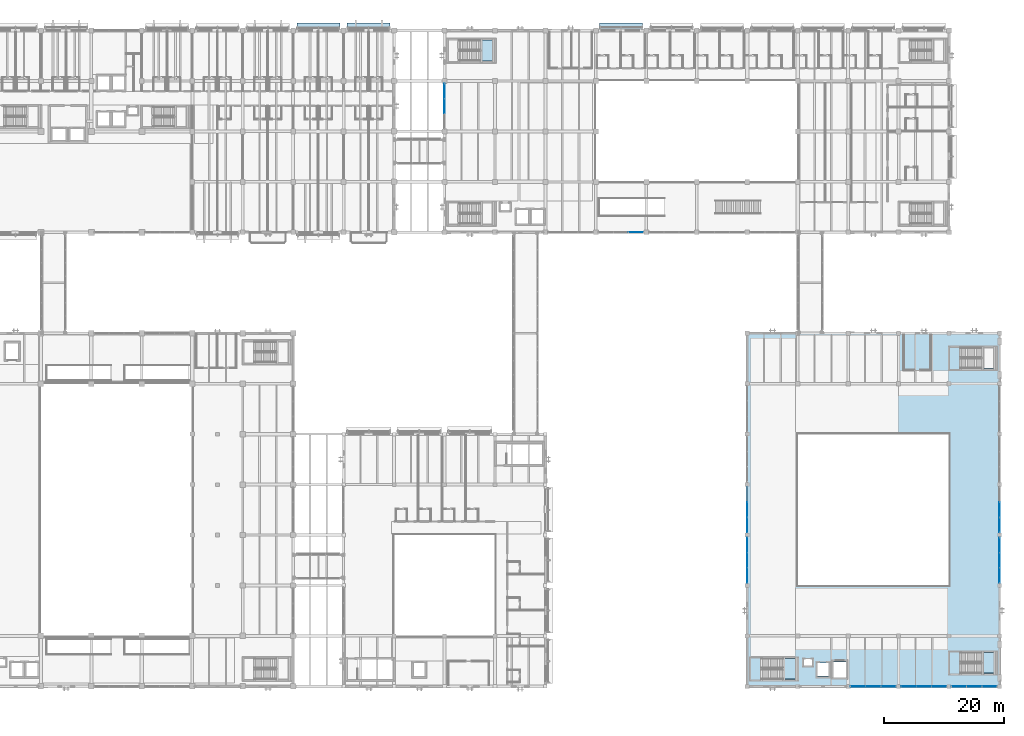
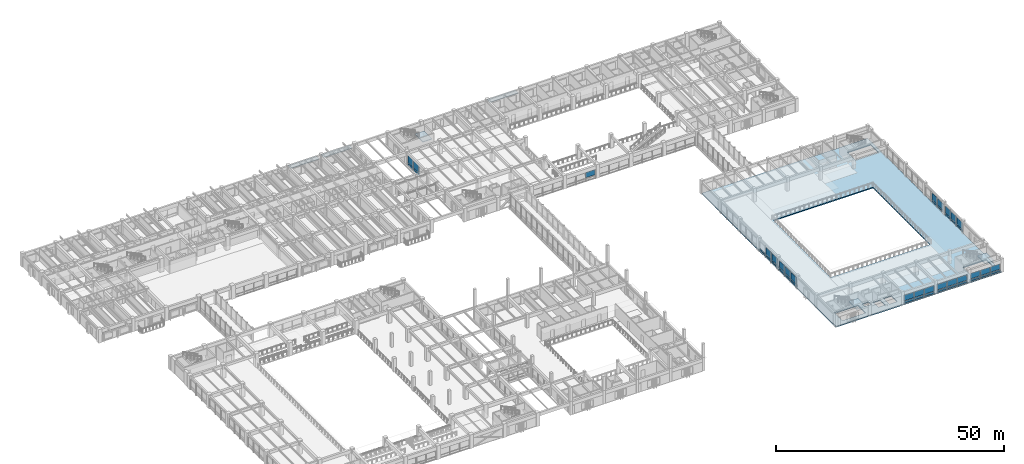
# One storey, part 56 of 118: 47 plates, 4 slabs, 15 elements without a shape of their own.
"""IFC4 building model written with IfcOpenShell, lengths in metres."""

from ifc_helpers import new_model, si_unit, direction, frame, origin, origin_2d, place, context, subcontext, project, spatial, polyline, rectangle, outline, extrude, material, layer, layer_set, type_object, element, aggregate, save


model = new_model("IFC4")

# Units and contexts
model_context = context("Model", 3, precision=1e-05, world=origin(), true_north=direction((0.0, 1.0)))
body_context = subcontext(model_context, "Body", "Model", "MODEL_VIEW")
ifc_project = project(units=[si_unit("LENGTHUNIT", "METRE"), si_unit("AREAUNIT", "SQUARE_METRE"), si_unit("VOLUMEUNIT", "CUBIC_METRE"), si_unit("PLANEANGLEUNIT", "RADIAN"), si_unit("MASSUNIT", "GRAM", prefix="KILO")], contexts=[model_context])

# Site, building, storey
site_placement = place(None, origin())
site = spatial("IfcSite", under=ifc_project, at=site_placement, CompositionType="ELEMENT")
building_placement = place(site_placement, origin())
building = spatial("IfcBuilding", under=site, at=building_placement, Name="Cumbredor Promenade Congress Hotel", CompositionType="ELEMENT")
storey_placement = place(building_placement, frame((0.0, 0.0, 3.919921875)))
storey = spatial("IfcBuildingStorey", under=building, at=storey_placement, Name="L01", CompositionType="ELEMENT", Elevation=3.919921875)

# Stair, slab
ifc_material_1 = material(Name="Concrete C40/50", Category="concrete")
stair_type = type_object("IfcStairType", Name="Protected Dog-Leg Exit Stair ST-T3 1650mm", PredefinedType="HALF_TURN_STAIR", material=ifc_material_1)
stair_1_placement = place(storey_placement, origin())
stair_1 = element("IfcStair", 1, at=stair_1_placement, inside=storey, type_object=stair_type, Name="L01 Protected Exit Stair ST-08", PredefinedType="HALF_TURN_STAIR")
ifc_layer_1 = layer(ifc_material_1, 0.199951171875, Name="Concrete C40/50", Category="concrete")
ifc_layer_set_1 = layer_set([ifc_layer_1], Name="Concrete C40/50")
slab_type_1 = type_object("IfcSlabType", Name="Concrete Stair Landing Slab 200mm", PredefinedType="LANDING", material=ifc_layer_set_1)
slab_1_placement = place(storey_placement, frame((0.0, 0.0, 1.6201171875)))
slab_1 = element("IfcSlab", 2, at=slab_1_placement, type_object=slab_type_1, Name="ST-08 landing 1", PredefinedType="LANDING", context=body_context, shape_type="SweptSolid", body=[
    extrude(outline(polyline([(148.75, 9.60009765625), (151.050048828125, 9.60009765625), (151.050048828125, 13.050048828125), (148.75, 13.050048828125), (148.75, 9.60009765625)])), origin(), (0.0, 0.0, 1.0), 0.199951171875),
])
aggregate(stair_1, [slab_1])

stair_2_placement = place(storey_placement, origin())
stair_2 = element("IfcStair", 3, at=stair_2_placement, inside=storey, type_object=stair_type, Name="L01 Protected Exit Stair ST-09", PredefinedType="HALF_TURN_STAIR")
slab_2_placement = place(storey_placement, frame((0.0, 0.0, 1.6201171875)))
slab_2 = element("IfcSlab", 4, at=slab_2_placement, type_object=slab_type_1, Name="ST-09 landing 1", PredefinedType="LANDING", context=body_context, shape_type="SweptSolid", body=[
    extrude(outline(polyline([(181.85009765625, 10.60009765625), (184.14990234375, 10.60009765625), (184.14990234375, 14.050048828125), (181.85009765625, 14.050048828125), (181.85009765625, 10.60009765625)])), origin(), (0.0, 0.0, 1.0), 0.199951171875),
])
aggregate(stair_2, [slab_2])

stair_3_placement = place(storey_placement, origin())
stair_3 = element("IfcStair", 5, at=stair_3_placement, inside=storey, type_object=stair_type, Name="L01 Protected Exit Stair ST-15", PredefinedType="HALF_TURN_STAIR")
slab_3_placement = place(storey_placement, frame((0.0, 0.0, 1.6201171875)))
slab_3 = element("IfcSlab", 6, at=slab_3_placement, type_object=slab_type_1, Name="ST-15 landing 1", PredefinedType="LANDING", context=body_context, shape_type="SweptSolid", body=[
    extrude(outline(polyline([(98.35009765625, 112.550048828125), (100.64990234375, 112.550048828125), (100.64990234375, 116.0), (98.35009765625, 116.0), (98.35009765625, 112.550048828125)])), origin(), (0.0, 0.0, 1.0), 0.199951171875),
])
aggregate(stair_3, [slab_3])

# Curtain wall, plates
ifc_material_2 = material(Name="Thermally broken anodized aluminium and low-E glass", Category="aluminium")
curtain_wall_type_1 = type_object("IfcCurtainWallType", Name="Unitised Bronze Curtain Wall CW-01", PredefinedType="NOTDEFINED", material=ifc_material_2)
curtain_wall_1_placement = place(storey_placement, origin())
curtain_wall_1 = element("IfcCurtainWall", 7, at=curtain_wall_1_placement, inside=storey, type_object=curtain_wall_type_1, Name="L01 Grand Ballroom Pavilion South Curtain Wall 3", PredefinedType="NOTDEFINED")
ifc_material_3 = material(Name="Laminated low-E solar-control glass", Category="glass")
ifc_layer_2 = layer(ifc_material_3, 0.028076171875, Name="Laminated low-E solar-control glass", Category="glass")
ifc_layer_set_2 = layer_set([ifc_layer_2], Name="Laminated low-E solar-control glass")
plate_type_1 = type_object("IfcPlateType", Name="Glazed Vision Panel PNL-01", PredefinedType="CURTAIN_PANEL", material=ifc_layer_set_2)
plate_1_placement = place(storey_placement, frame((161.27001953125, 8.39990234375, 0.78515625), z_axis=(0.0, 0.0, 1.0), x_axis=(1.0, 0.0, 0.0)))
plate_1 = element("IfcPlate", 8, at=plate_1_placement, type_object=plate_type_1, Name="L01 Grand Ballroom Pavilion South Curtain Wall 3 Glazing Panel 1.2", PredefinedType="CURTAIN_PANEL", context=body_context, shape_type="SweptSolid", body=[
    extrude(rectangle(XDim=2.465087890625, YDim=0.028076171875, at=origin_2d()), origin(), (0.0, 0.0, 1.0), 1.530029296875),
])
plate_2_placement = place(storey_placement, frame((163.800048828125, 8.39990234375, 0.78515625), z_axis=(0.0, 0.0, 1.0), x_axis=(1.0, 0.0, 0.0)))
plate_2 = element("IfcPlate", 9, at=plate_2_placement, type_object=plate_type_1, Name="L01 Grand Ballroom Pavilion South Curtain Wall 3 Glazing Panel 2.2", PredefinedType="CURTAIN_PANEL", context=body_context, shape_type="SweptSolid", body=[
    extrude(rectangle(XDim=2.465087890625, YDim=0.028076171875, at=origin_2d()), origin(), (0.0, 0.0, 1.0), 1.530029296875),
])
plate_3_placement = place(storey_placement, frame((166.330078125, 8.39990234375, 0.78515625), z_axis=(0.0, 0.0, 1.0), x_axis=(1.0, 0.0, 0.0)))
plate_3 = element("IfcPlate", 10, at=plate_3_placement, type_object=plate_type_1, Name="L01 Grand Ballroom Pavilion South Curtain Wall 3 Glazing Panel 3.2", PredefinedType="CURTAIN_PANEL", context=body_context, shape_type="SweptSolid", body=[
    extrude(rectangle(XDim=2.465087890625, YDim=0.028076171875, at=origin_2d()), origin(), (0.0, 0.0, 1.0), 1.530029296875),
])

curtain_wall_2_placement = place(storey_placement, origin())
curtain_wall_2 = element("IfcCurtainWall", 11, at=curtain_wall_2_placement, inside=storey, type_object=curtain_wall_type_1, Name="L01 Grand Ballroom Pavilion West Curtain Wall 3", PredefinedType="NOTDEFINED")
plate_4_placement = place(storey_placement, frame((142.800048828125, 26.8701171875, 0.78515625), z_axis=(0.0, 0.0, 1.0), x_axis=(0.0, 1.0, 0.0)))
plate_4 = element("IfcPlate", 12, at=plate_4_placement, type_object=plate_type_1, Name="L01 Grand Ballroom Pavilion West Curtain Wall 3 Glazing Panel 1.2", PredefinedType="CURTAIN_PANEL", context=body_context, shape_type="SweptSolid", body=[
    extrude(rectangle(XDim=2.465087890625, YDim=0.028076171875, at=origin_2d()), origin(), (0.0, 0.0, 1.0), 1.820068359375),
])
plate_5_placement = place(storey_placement, frame((142.800048828125, 29.39990234375, 0.78515625), z_axis=(0.0, 0.0, 1.0), x_axis=(0.0, 1.0, 0.0)))
plate_5 = element("IfcPlate", 13, at=plate_5_placement, type_object=plate_type_1, Name="L01 Grand Ballroom Pavilion West Curtain Wall 3 Glazing Panel 2.2", PredefinedType="CURTAIN_PANEL", context=body_context, shape_type="SweptSolid", body=[
    extrude(rectangle(XDim=2.465087890625, YDim=0.028076171875, at=origin_2d()), origin(), (0.0, 0.0, 1.0), 1.820068359375),
])
plate_6_placement = place(storey_placement, frame((142.800048828125, 31.929931640625, 0.78515625), z_axis=(0.0, 0.0, 1.0), x_axis=(0.0, 1.0, 0.0)))
plate_6 = element("IfcPlate", 14, at=plate_6_placement, type_object=plate_type_1, Name="L01 Grand Ballroom Pavilion West Curtain Wall 3 Glazing Panel 3.2", PredefinedType="CURTAIN_PANEL", context=body_context, shape_type="SweptSolid", body=[
    extrude(rectangle(XDim=2.465087890625, YDim=0.028076171875, at=origin_2d()), origin(), (0.0, 0.0, 1.0), 1.820068359375),
])

curtain_wall_type_2 = type_object("IfcCurtainWallType", Name="Unitised Forum Curtain Wall CW-02", PredefinedType="NOTDEFINED", material=ifc_material_2)
curtain_wall_3_placement = place(storey_placement, origin())
curtain_wall_3 = element("IfcCurtainWall", 15, at=curtain_wall_3_placement, inside=storey, type_object=curtain_wall_type_2, Name="L01 Pre-Function and Breakout Meeting Forum West Curtain Wall 3", PredefinedType="NOTDEFINED")
plate_7_placement = place(storey_placement, frame((92.39990234375, 105.0, 0.78515625), z_axis=(0.0, 0.0, 1.0), x_axis=(0.0, 1.0, 0.0)))
plate_7 = element("IfcPlate", 16, at=plate_7_placement, type_object=plate_type_1, Name="L01 Pre-Function and Breakout Meeting Forum West Curtain Wall 3 Glazing Panel 2.2", PredefinedType="CURTAIN_PANEL", context=body_context, shape_type="SweptSolid", body=[
    extrude(rectangle(XDim=2.431640625, YDim=0.028076171875, at=origin_2d()), origin(), (0.0, 0.0, 1.0), 1.780029296875),
])
plate_8_placement = place(storey_placement, frame((92.39990234375, 107.49658203125, 0.78515625), z_axis=(0.0, 0.0, 1.0), x_axis=(0.0, 1.0, 0.0)))
plate_8 = element("IfcPlate", 17, at=plate_8_placement, type_object=plate_type_1, Name="L01 Pre-Function and Breakout Meeting Forum West Curtain Wall 3 Glazing Panel 3.2", PredefinedType="CURTAIN_PANEL", context=body_context, shape_type="SweptSolid", body=[
    extrude(rectangle(XDim=2.431640625, YDim=0.028076171875, at=origin_2d()), origin(), (0.0, 0.0, 1.0), 1.780029296875),
])

curtain_wall_4_placement = place(storey_placement, origin())
curtain_wall_4 = element("IfcCurtainWall", 18, at=curtain_wall_4_placement, inside=storey, type_object=curtain_wall_type_1, Name="L01 Grand Ballroom Pavilion South Curtain Wall 4", PredefinedType="NOTDEFINED")
ifc_layer_3 = layer(ifc_material_3, 0.031982421875, Name="Laminated low-E solar-control glass", Category="glass")
ifc_layer_set_3 = layer_set([ifc_layer_3], Name="Laminated low-E solar-control glass")
plate_type_2 = type_object("IfcPlateType", Name="Glazed Vision Panel PNL-02", PredefinedType="CURTAIN_PANEL", material=ifc_layer_set_3)
plate_9_placement = place(storey_placement, frame((169.669921875, 8.39990234375, 0.795166015625), z_axis=(0.0, 0.0, 1.0), x_axis=(1.0, 0.0, 0.0)))
plate_9 = element("IfcPlate", 19, at=plate_9_placement, type_object=plate_type_2, Name="L01 Grand Ballroom Pavilion South Curtain Wall 4 Glazing Panel 1.2", PredefinedType="CURTAIN_PANEL", context=body_context, shape_type="SweptSolid", body=[
    extrude(rectangle(XDim=2.455078125, YDim=0.031982421875, at=origin_2d()), origin(), (0.0, 0.0, 1.0), 1.5),
])
plate_10_placement = place(storey_placement, frame((172.199951171875, 8.39990234375, 0.795166015625), z_axis=(0.0, 0.0, 1.0), x_axis=(1.0, 0.0, 0.0)))
plate_10 = element("IfcPlate", 20, at=plate_10_placement, type_object=plate_type_2, Name="L01 Grand Ballroom Pavilion South Curtain Wall 4 Glazing Panel 2.2", PredefinedType="CURTAIN_PANEL", context=body_context, shape_type="SweptSolid", body=[
    extrude(rectangle(XDim=2.455078125, YDim=0.031982421875, at=origin_2d()), origin(), (0.0, 0.0, 1.0), 1.5),
])
plate_11_placement = place(storey_placement, frame((174.72998046875, 8.39990234375, 0.795166015625), z_axis=(0.0, 0.0, 1.0), x_axis=(1.0, 0.0, 0.0)))
plate_11 = element("IfcPlate", 21, at=plate_11_placement, type_object=plate_type_2, Name="L01 Grand Ballroom Pavilion South Curtain Wall 4 Glazing Panel 3.2", PredefinedType="CURTAIN_PANEL", context=body_context, shape_type="SweptSolid", body=[
    extrude(rectangle(XDim=2.455078125, YDim=0.031982421875, at=origin_2d()), origin(), (0.0, 0.0, 1.0), 1.5),
])

curtain_wall_5_placement = place(storey_placement, origin())
curtain_wall_5 = element("IfcCurtainWall", 22, at=curtain_wall_5_placement, inside=storey, type_object=curtain_wall_type_1, Name="L01 Grand Ballroom Pavilion West Curtain Wall 4", PredefinedType="NOTDEFINED")
plate_12_placement = place(storey_placement, frame((142.800048828125, 35.27001953125, 0.795166015625), z_axis=(0.0, 0.0, 1.0), x_axis=(0.0, 1.0, 0.0)))
plate_12 = element("IfcPlate", 23, at=plate_12_placement, type_object=plate_type_2, Name="L01 Grand Ballroom Pavilion West Curtain Wall 4 Glazing Panel 1.2", PredefinedType="CURTAIN_PANEL", context=body_context, shape_type="SweptSolid", body=[
    extrude(rectangle(XDim=2.455078125, YDim=0.031982421875, at=origin_2d()), origin(), (0.0, 0.0, 1.0), 1.7900390625),
])
plate_13_placement = place(storey_placement, frame((142.800048828125, 37.800048828125, 0.795166015625), z_axis=(0.0, 0.0, 1.0), x_axis=(0.0, 1.0, 0.0)))
plate_13 = element("IfcPlate", 24, at=plate_13_placement, type_object=plate_type_2, Name="L01 Grand Ballroom Pavilion West Curtain Wall 4 Glazing Panel 2.2", PredefinedType="CURTAIN_PANEL", context=body_context, shape_type="SweptSolid", body=[
    extrude(rectangle(XDim=2.455078125, YDim=0.031982421875, at=origin_2d()), origin(), (0.0, 0.0, 1.0), 1.7900390625),
])

curtain_wall_6_placement = place(storey_placement, origin())
curtain_wall_6 = element("IfcCurtainWall", 25, at=curtain_wall_6_placement, inside=storey, type_object=curtain_wall_type_1, Name="L01 Grand Ballroom Pavilion East Curtain Wall 3", PredefinedType="NOTDEFINED")
plate_14_placement = place(storey_placement, frame((184.800048828125, 26.8701171875, 0.795166015625), z_axis=(0.0, 0.0, 1.0), x_axis=(0.0, 1.0, 0.0)))
plate_14 = element("IfcPlate", 26, at=plate_14_placement, type_object=plate_type_2, Name="L01 Grand Ballroom Pavilion East Curtain Wall 3 Glazing Panel 1.2", PredefinedType="CURTAIN_PANEL", context=body_context, shape_type="SweptSolid", body=[
    extrude(rectangle(XDim=2.455078125, YDim=0.031982421875, at=origin_2d()), origin(), (0.0, 0.0, 1.0), 1.7900390625),
])
plate_15_placement = place(storey_placement, frame((184.800048828125, 29.39990234375, 0.795166015625), z_axis=(0.0, 0.0, 1.0), x_axis=(0.0, 1.0, 0.0)))
plate_15 = element("IfcPlate", 27, at=plate_15_placement, type_object=plate_type_2, Name="L01 Grand Ballroom Pavilion East Curtain Wall 3 Glazing Panel 2.2", PredefinedType="CURTAIN_PANEL", context=body_context, shape_type="SweptSolid", body=[
    extrude(rectangle(XDim=2.455078125, YDim=0.031982421875, at=origin_2d()), origin(), (0.0, 0.0, 1.0), 1.7900390625),
])
plate_16_placement = place(storey_placement, frame((184.800048828125, 31.929931640625, 0.795166015625), z_axis=(0.0, 0.0, 1.0), x_axis=(0.0, 1.0, 0.0)))
plate_16 = element("IfcPlate", 28, at=plate_16_placement, type_object=plate_type_2, Name="L01 Grand Ballroom Pavilion East Curtain Wall 3 Glazing Panel 3.2", PredefinedType="CURTAIN_PANEL", context=body_context, shape_type="SweptSolid", body=[
    extrude(rectangle(XDim=2.455078125, YDim=0.031982421875, at=origin_2d()), origin(), (0.0, 0.0, 1.0), 1.7900390625),
])

curtain_wall_7_placement = place(storey_placement, origin())
curtain_wall_7 = element("IfcCurtainWall", 29, at=curtain_wall_7_placement, inside=storey, type_object=curtain_wall_type_1, Name="L01 Grand Ballroom Pavilion South Curtain Wall 5", PredefinedType="NOTDEFINED")
ifc_layer_4 = layer(ifc_material_3, 0.028076171875, Name="Laminated low-E solar-control glass", Category="glass")
ifc_layer_set_4 = layer_set([ifc_layer_4], Name="Laminated low-E solar-control glass")
plate_type_3 = type_object("IfcPlateType", Name="Glazed Vision Panel PNL-03", PredefinedType="CURTAIN_PANEL", material=ifc_layer_set_4)
plate_17_placement = place(storey_placement, frame((178.070068359375, 8.39990234375, 0.81005859375), z_axis=(0.0, 0.0, 1.0), x_axis=(1.0, 0.0, 0.0)))
plate_17 = element("IfcPlate", 30, at=plate_17_placement, type_object=plate_type_3, Name="L01 Grand Ballroom Pavilion South Curtain Wall 5 Glazing Panel 1.2", PredefinedType="CURTAIN_PANEL", context=body_context, shape_type="SweptSolid", body=[
    extrude(rectangle(XDim=2.449951171875, YDim=0.028076171875, at=origin_2d()), origin(), (0.0, 0.0, 1.0), 1.4599609375),
])
plate_18_placement = place(storey_placement, frame((180.60009765625, 8.39990234375, 0.81005859375), z_axis=(0.0, 0.0, 1.0), x_axis=(1.0, 0.0, 0.0)))
plate_18 = element("IfcPlate", 31, at=plate_18_placement, type_object=plate_type_3, Name="L01 Grand Ballroom Pavilion South Curtain Wall 5 Glazing Panel 2.2", PredefinedType="CURTAIN_PANEL", context=body_context, shape_type="SweptSolid", body=[
    extrude(rectangle(XDim=2.449951171875, YDim=0.028076171875, at=origin_2d()), origin(), (0.0, 0.0, 1.0), 1.4599609375),
])
plate_19_placement = place(storey_placement, frame((183.1298828125, 8.39990234375, 0.81005859375), z_axis=(0.0, 0.0, 1.0), x_axis=(1.0, 0.0, 0.0)))
plate_19 = element("IfcPlate", 32, at=plate_19_placement, type_object=plate_type_3, Name="L01 Grand Ballroom Pavilion South Curtain Wall 5 Glazing Panel 3.2", PredefinedType="CURTAIN_PANEL", context=body_context, shape_type="SweptSolid", body=[
    extrude(rectangle(XDim=2.449951171875, YDim=0.028076171875, at=origin_2d()), origin(), (0.0, 0.0, 1.0), 1.4599609375),
])

curtain_wall_8_placement = place(storey_placement, origin())
curtain_wall_8 = element("IfcCurtainWall", 33, at=curtain_wall_8_placement, inside=storey, type_object=curtain_wall_type_1, Name="L01 Grand Ballroom Pavilion East Curtain Wall 4", PredefinedType="NOTDEFINED")
plate_20_placement = place(storey_placement, frame((184.800048828125, 35.27001953125, 0.81005859375), z_axis=(0.0, 0.0, 1.0), x_axis=(0.0, 1.0, 0.0)))
plate_20 = element("IfcPlate", 34, at=plate_20_placement, type_object=plate_type_3, Name="L01 Grand Ballroom Pavilion East Curtain Wall 4 Glazing Panel 1.2", PredefinedType="CURTAIN_PANEL", context=body_context, shape_type="SweptSolid", body=[
    extrude(rectangle(XDim=2.449951171875, YDim=0.028076171875, at=origin_2d()), origin(), (0.0, 0.0, 1.0), 1.739990234375),
])
plate_21_placement = place(storey_placement, frame((184.800048828125, 37.800048828125, 0.81005859375), z_axis=(0.0, 0.0, 1.0), x_axis=(0.0, 1.0, 0.0)))
plate_21 = element("IfcPlate", 35, at=plate_21_placement, type_object=plate_type_3, Name="L01 Grand Ballroom Pavilion East Curtain Wall 4 Glazing Panel 2.2", PredefinedType="CURTAIN_PANEL", context=body_context, shape_type="SweptSolid", body=[
    extrude(rectangle(XDim=2.449951171875, YDim=0.028076171875, at=origin_2d()), origin(), (0.0, 0.0, 1.0), 1.739990234375),
])

# Curtain wall, plate
curtain_wall_9_placement = place(storey_placement, origin())
curtain_wall_9 = element("IfcCurtainWall", 36, at=curtain_wall_9_placement, inside=storey, type_object=curtain_wall_type_2, Name="L01 Pre-Function and Breakout Meeting Forum South Curtain Wall 4", PredefinedType="NOTDEFINED")
plate_22_placement = place(storey_placement, frame((124.296630859375, 84.0, 0.81005859375), z_axis=(0.0, 0.0, 1.0), x_axis=(1.0, 0.0, 0.0)))
plate_22 = element("IfcPlate", 37, at=plate_22_placement, type_object=plate_type_3, Name="L01 Pre-Function and Breakout Meeting Forum South Curtain Wall 4 Glazing Panel 3.2", PredefinedType="CURTAIN_PANEL", context=body_context, shape_type="SweptSolid", body=[
    extrude(rectangle(XDim=2.416748046875, YDim=0.028076171875, at=origin_2d()), origin(), (0.0, 0.0, 1.0), 1.4599609375),
])
aggregate(curtain_wall_9, [plate_22])

curtain_wall_type_3 = type_object("IfcCurtainWallType", Name="Solar Brise-Soleil Screen Assembly CW-07", PredefinedType="NOTDEFINED", material=ifc_material_2)
curtain_wall_10_placement = place(storey_placement, origin())
curtain_wall_10 = element("IfcCurtainWall", 38, at=curtain_wall_10_placement, inside=storey, type_object=curtain_wall_type_3, Name="L01 Hospitality Brise-Soleil Screen 008", PredefinedType="NOTDEFINED")
ifc_material_4 = material(Name="Precast concrete C40/50", Category="concrete")
ifc_layer_5 = layer(ifc_material_4, 0.14501953125, Name="Precast concrete C40/50", Category="concrete")
ifc_layer_set_5 = layer_set([ifc_layer_5], Name="Precast concrete C40/50")
plate_type_4 = type_object("IfcPlateType", Name="Horizontal Precast Sun-Hood Eyebrow Plate 145mm", PredefinedType="USERDEFINED", material=ifc_layer_set_5)
plate_23_placement = place(storey_placement, frame((121.800048828125, 118.191162109375, 2.28515625), z_axis=(0.0, 0.0, 1.0), x_axis=(1.0, 0.0, 0.0)))
plate_23 = element("IfcPlate", 39, at=plate_23_placement, type_object=plate_type_4, Name="L01 Horizontal Sun-Hood Eyebrow 008", ObjectType="SUN HOOD", PredefinedType="USERDEFINED", context=body_context, shape_type="SweptSolid", body=[
    extrude(rectangle(XDim=7.197998046875, YDim=1.342529296875, at=origin_2d()), origin(), (0.0, 0.0, 1.0), 0.14501953125),
])
aggregate(curtain_wall_10, [plate_23])

curtain_wall_11_placement = place(storey_placement, origin())
curtain_wall_11 = element("IfcCurtainWall", 40, at=curtain_wall_11_placement, inside=storey, type_object=curtain_wall_type_3, Name="L01 Hospitality Brise-Soleil Screen 028", PredefinedType="NOTDEFINED")
plate_24_placement = place(storey_placement, frame((71.39990234375, 118.166259765625, 2.28515625), z_axis=(0.0, 0.0, 1.0), x_axis=(1.0, 0.0, 0.0)))
plate_24 = element("IfcPlate", 41, at=plate_24_placement, type_object=plate_type_4, Name="L01 Horizontal Sun-Hood Eyebrow 028", ObjectType="SUN HOOD", PredefinedType="USERDEFINED", context=body_context, shape_type="SweptSolid", body=[
    extrude(rectangle(XDim=7.197998046875, YDim=1.29248046875, at=origin_2d()), origin(), (0.0, 0.0, 1.0), 0.14501953125),
])
aggregate(curtain_wall_11, [plate_24])

curtain_wall_12_placement = place(storey_placement, origin())
curtain_wall_12 = element("IfcCurtainWall", 42, at=curtain_wall_12_placement, inside=storey, type_object=curtain_wall_type_3, Name="L01 Hospitality Brise-Soleil Screen 029", PredefinedType="NOTDEFINED")
plate_25_placement = place(storey_placement, frame((79.77490234375, 118.172607421875, 2.28515625), z_axis=(0.0, 0.0, 1.0), x_axis=(1.0, 0.0, 0.0)))
plate_25 = element("IfcPlate", 43, at=plate_25_placement, type_object=plate_type_4, Name="L01 Horizontal Sun-Hood Eyebrow 029", ObjectType="SUN HOOD", PredefinedType="USERDEFINED", context=body_context, shape_type="SweptSolid", body=[
    extrude(rectangle(XDim=7.14794921875, YDim=1.304931640625, at=origin_2d()), origin(), (0.0, 0.0, 1.0), 0.14501953125),
])
aggregate(curtain_wall_12, [plate_25])

# Plate
ifc_material_5 = material(Name="Thermally broken anodized aluminium", Category="aluminium")
ifc_layer_6 = layer(ifc_material_5, 0.0400390625, Name="Thermally broken anodized aluminium", Category="aluminium")
ifc_layer_set_6 = layer_set([ifc_layer_6], Name="Thermally broken anodized aluminium")
plate_type_5 = type_object("IfcPlateType", Name="Insulated Spandrel Panel PNL-05", PredefinedType="CURTAIN_PANEL", material=ifc_layer_set_6)
plate_26_placement = place(storey_placement, frame((161.27001953125, 8.39990234375, 0.125), z_axis=(0.0, 0.0, 1.0), x_axis=(1.0, 0.0, 0.0)))
plate_26 = element("IfcPlate", 44, at=plate_26_placement, type_object=plate_type_5, Name="L01 Grand Ballroom Pavilion South Curtain Wall 3 Spandrel Panel 1.1", PredefinedType="CURTAIN_PANEL", context=body_context, shape_type="SweptSolid", body=[
    extrude(rectangle(XDim=2.465087890625, YDim=0.0400390625, at=origin_2d()), origin(), (0.0, 0.0, 1.0), 0.530029296875),
])

plate_27_placement = place(storey_placement, frame((163.800048828125, 8.39990234375, 0.125), z_axis=(0.0, 0.0, 1.0), x_axis=(1.0, 0.0, 0.0)))
plate_27 = element("IfcPlate", 45, at=plate_27_placement, type_object=plate_type_5, Name="L01 Grand Ballroom Pavilion South Curtain Wall 3 Spandrel Panel 2.1", PredefinedType="CURTAIN_PANEL", context=body_context, shape_type="SweptSolid", body=[
    extrude(rectangle(XDim=2.465087890625, YDim=0.0400390625, at=origin_2d()), origin(), (0.0, 0.0, 1.0), 0.530029296875),
])

plate_28_placement = place(storey_placement, frame((166.330078125, 8.39990234375, 0.125), z_axis=(0.0, 0.0, 1.0), x_axis=(1.0, 0.0, 0.0)))
plate_28 = element("IfcPlate", 46, at=plate_28_placement, type_object=plate_type_5, Name="L01 Grand Ballroom Pavilion South Curtain Wall 3 Spandrel Panel 3.1", PredefinedType="CURTAIN_PANEL", context=body_context, shape_type="SweptSolid", body=[
    extrude(rectangle(XDim=2.465087890625, YDim=0.0400390625, at=origin_2d()), origin(), (0.0, 0.0, 1.0), 0.530029296875),
])

aggregate(curtain_wall_1, [plate_26, plate_1, plate_27, plate_2, plate_28, plate_3])

plate_29_placement = place(storey_placement, frame((178.070068359375, 8.39990234375, 0.18017578125), z_axis=(0.0, 0.0, 1.0), x_axis=(1.0, 0.0, 0.0)))
plate_29 = element("IfcPlate", 47, at=plate_29_placement, type_object=plate_type_5, Name="L01 Grand Ballroom Pavilion South Curtain Wall 5 Spandrel Panel 1.1", PredefinedType="CURTAIN_PANEL", context=body_context, shape_type="SweptSolid", body=[
    extrude(rectangle(XDim=2.449951171875, YDim=0.0400390625, at=origin_2d()), origin(), (0.0, 0.0, 1.0), 0.449951171875),
])

plate_30_placement = place(storey_placement, frame((180.60009765625, 8.39990234375, 0.18017578125), z_axis=(0.0, 0.0, 1.0), x_axis=(1.0, 0.0, 0.0)))
plate_30 = element("IfcPlate", 48, at=plate_30_placement, type_object=plate_type_5, Name="L01 Grand Ballroom Pavilion South Curtain Wall 5 Spandrel Panel 2.1", PredefinedType="CURTAIN_PANEL", context=body_context, shape_type="SweptSolid", body=[
    extrude(rectangle(XDim=2.449951171875, YDim=0.0400390625, at=origin_2d()), origin(), (0.0, 0.0, 1.0), 0.449951171875),
])

plate_31_placement = place(storey_placement, frame((183.1298828125, 8.39990234375, 0.18017578125), z_axis=(0.0, 0.0, 1.0), x_axis=(1.0, 0.0, 0.0)))
plate_31 = element("IfcPlate", 49, at=plate_31_placement, type_object=plate_type_5, Name="L01 Grand Ballroom Pavilion South Curtain Wall 5 Spandrel Panel 3.1", PredefinedType="CURTAIN_PANEL", context=body_context, shape_type="SweptSolid", body=[
    extrude(rectangle(XDim=2.449951171875, YDim=0.0400390625, at=origin_2d()), origin(), (0.0, 0.0, 1.0), 0.449951171875),
])

aggregate(curtain_wall_7, [plate_29, plate_17, plate_30, plate_18, plate_31, plate_19])

plate_32_placement = place(storey_placement, frame((142.800048828125, 35.27001953125, 0.1552734375), z_axis=(0.0, 0.0, 1.0), x_axis=(0.0, 1.0, 0.0)))
plate_32 = element("IfcPlate", 50, at=plate_32_placement, type_object=plate_type_5, Name="L01 Grand Ballroom Pavilion West Curtain Wall 4 Spandrel Panel 1.1", PredefinedType="CURTAIN_PANEL", context=body_context, shape_type="SweptSolid", body=[
    extrude(rectangle(XDim=2.455078125, YDim=0.0400390625, at=origin_2d()), origin(), (0.0, 0.0, 1.0), 0.489990234375),
])

plate_33_placement = place(storey_placement, frame((142.800048828125, 37.800048828125, 0.1552734375), z_axis=(0.0, 0.0, 1.0), x_axis=(0.0, 1.0, 0.0)))
plate_33 = element("IfcPlate", 51, at=plate_33_placement, type_object=plate_type_5, Name="L01 Grand Ballroom Pavilion West Curtain Wall 4 Spandrel Panel 2.1", PredefinedType="CURTAIN_PANEL", context=body_context, shape_type="SweptSolid", body=[
    extrude(rectangle(XDim=2.455078125, YDim=0.0400390625, at=origin_2d()), origin(), (0.0, 0.0, 1.0), 0.489990234375),
])

plate_34_placement = place(storey_placement, frame((142.800048828125, 40.330078125, 0.1552734375), z_axis=(0.0, 0.0, 1.0), x_axis=(0.0, 1.0, 0.0)))
plate_34 = element("IfcPlate", 52, at=plate_34_placement, type_object=plate_type_5, Name="L01 Grand Ballroom Pavilion West Curtain Wall 4 Spandrel Panel 3.1", PredefinedType="CURTAIN_PANEL", context=body_context, shape_type="SweptSolid", body=[
    extrude(rectangle(XDim=2.455078125, YDim=0.0400390625, at=origin_2d()), origin(), (0.0, 0.0, 1.0), 0.489990234375),
])

aggregate(curtain_wall_5, [plate_32, plate_12, plate_33, plate_13, plate_34])

plate_35_placement = place(storey_placement, frame((184.800048828125, 35.27001953125, 0.18017578125), z_axis=(0.0, 0.0, 1.0), x_axis=(0.0, 1.0, 0.0)))
plate_35 = element("IfcPlate", 53, at=plate_35_placement, type_object=plate_type_5, Name="L01 Grand Ballroom Pavilion East Curtain Wall 4 Spandrel Panel 1.1", PredefinedType="CURTAIN_PANEL", context=body_context, shape_type="SweptSolid", body=[
    extrude(rectangle(XDim=2.449951171875, YDim=0.0400390625, at=origin_2d()), origin(), (0.0, 0.0, 1.0), 0.449951171875),
])

plate_36_placement = place(storey_placement, frame((184.800048828125, 37.800048828125, 0.18017578125), z_axis=(0.0, 0.0, 1.0), x_axis=(0.0, 1.0, 0.0)))
plate_36 = element("IfcPlate", 54, at=plate_36_placement, type_object=plate_type_5, Name="L01 Grand Ballroom Pavilion East Curtain Wall 4 Spandrel Panel 2.1", PredefinedType="CURTAIN_PANEL", context=body_context, shape_type="SweptSolid", body=[
    extrude(rectangle(XDim=2.449951171875, YDim=0.0400390625, at=origin_2d()), origin(), (0.0, 0.0, 1.0), 0.449951171875),
])

aggregate(curtain_wall_8, [plate_35, plate_20, plate_36, plate_21])

plate_37_placement = place(storey_placement, frame((92.39990234375, 105.0, 0.125), z_axis=(0.0, 0.0, 1.0), x_axis=(0.0, 1.0, 0.0)))
plate_37 = element("IfcPlate", 55, at=plate_37_placement, type_object=plate_type_5, Name="L01 Pre-Function and Breakout Meeting Forum West Curtain Wall 3 Spandrel Panel 2.1", PredefinedType="CURTAIN_PANEL", context=body_context, shape_type="SweptSolid", body=[
    extrude(rectangle(XDim=2.431640625, YDim=0.0400390625, at=origin_2d()), origin(), (0.0, 0.0, 1.0), 0.530029296875),
])

plate_38_placement = place(storey_placement, frame((92.39990234375, 107.49658203125, 0.125), z_axis=(0.0, 0.0, 1.0), x_axis=(0.0, 1.0, 0.0)))
plate_38 = element("IfcPlate", 56, at=plate_38_placement, type_object=plate_type_5, Name="L01 Pre-Function and Breakout Meeting Forum West Curtain Wall 3 Spandrel Panel 3.1", PredefinedType="CURTAIN_PANEL", context=body_context, shape_type="SweptSolid", body=[
    extrude(rectangle(XDim=2.431640625, YDim=0.0400390625, at=origin_2d()), origin(), (0.0, 0.0, 1.0), 0.530029296875),
])

aggregate(curtain_wall_3, [plate_37, plate_7, plate_38, plate_8])

ifc_layer_7 = layer(ifc_material_5, 0.0400390625, Name="Thermally broken anodized aluminium", Category="aluminium")
ifc_layer_set_7 = layer_set([ifc_layer_7], Name="Thermally broken anodized aluminium")
plate_type_6 = type_object("IfcPlateType", Name="Insulated Spandrel Panel PNL-06", PredefinedType="CURTAIN_PANEL", material=ifc_layer_set_7)
plate_39_placement = place(storey_placement, frame((169.669921875, 8.39990234375, 0.1552734375), z_axis=(0.0, 0.0, 1.0), x_axis=(1.0, 0.0, 0.0)))
plate_39 = element("IfcPlate", 57, at=plate_39_placement, type_object=plate_type_6, Name="L01 Grand Ballroom Pavilion South Curtain Wall 4 Spandrel Panel 1.1", PredefinedType="CURTAIN_PANEL", context=body_context, shape_type="SweptSolid", body=[
    extrude(rectangle(XDim=2.455078125, YDim=0.0400390625, at=origin_2d()), origin(), (0.0, 0.0, 1.0), 0.489990234375),
])

plate_40_placement = place(storey_placement, frame((172.199951171875, 8.39990234375, 0.1552734375), z_axis=(0.0, 0.0, 1.0), x_axis=(1.0, 0.0, 0.0)))
plate_40 = element("IfcPlate", 58, at=plate_40_placement, type_object=plate_type_6, Name="L01 Grand Ballroom Pavilion South Curtain Wall 4 Spandrel Panel 2.1", PredefinedType="CURTAIN_PANEL", context=body_context, shape_type="SweptSolid", body=[
    extrude(rectangle(XDim=2.455078125, YDim=0.0400390625, at=origin_2d()), origin(), (0.0, 0.0, 1.0), 0.489990234375),
])

plate_41_placement = place(storey_placement, frame((174.72998046875, 8.39990234375, 0.1552734375), z_axis=(0.0, 0.0, 1.0), x_axis=(1.0, 0.0, 0.0)))
plate_41 = element("IfcPlate", 59, at=plate_41_placement, type_object=plate_type_6, Name="L01 Grand Ballroom Pavilion South Curtain Wall 4 Spandrel Panel 3.1", PredefinedType="CURTAIN_PANEL", context=body_context, shape_type="SweptSolid", body=[
    extrude(rectangle(XDim=2.455078125, YDim=0.0400390625, at=origin_2d()), origin(), (0.0, 0.0, 1.0), 0.489990234375),
])

aggregate(curtain_wall_4, [plate_39, plate_9, plate_40, plate_10, plate_41, plate_11])

plate_42_placement = place(storey_placement, frame((142.800048828125, 26.8701171875, 0.125), z_axis=(0.0, 0.0, 1.0), x_axis=(0.0, 1.0, 0.0)))
plate_42 = element("IfcPlate", 60, at=plate_42_placement, type_object=plate_type_6, Name="L01 Grand Ballroom Pavilion West Curtain Wall 3 Spandrel Panel 1.1", PredefinedType="CURTAIN_PANEL", context=body_context, shape_type="SweptSolid", body=[
    extrude(rectangle(XDim=2.465087890625, YDim=0.0400390625, at=origin_2d()), origin(), (0.0, 0.0, 1.0), 0.530029296875),
])

plate_43_placement = place(storey_placement, frame((142.800048828125, 29.39990234375, 0.125), z_axis=(0.0, 0.0, 1.0), x_axis=(0.0, 1.0, 0.0)))
plate_43 = element("IfcPlate", 61, at=plate_43_placement, type_object=plate_type_6, Name="L01 Grand Ballroom Pavilion West Curtain Wall 3 Spandrel Panel 2.1", PredefinedType="CURTAIN_PANEL", context=body_context, shape_type="SweptSolid", body=[
    extrude(rectangle(XDim=2.465087890625, YDim=0.0400390625, at=origin_2d()), origin(), (0.0, 0.0, 1.0), 0.530029296875),
])

plate_44_placement = place(storey_placement, frame((142.800048828125, 31.929931640625, 0.125), z_axis=(0.0, 0.0, 1.0), x_axis=(0.0, 1.0, 0.0)))
plate_44 = element("IfcPlate", 62, at=plate_44_placement, type_object=plate_type_6, Name="L01 Grand Ballroom Pavilion West Curtain Wall 3 Spandrel Panel 3.1", PredefinedType="CURTAIN_PANEL", context=body_context, shape_type="SweptSolid", body=[
    extrude(rectangle(XDim=2.465087890625, YDim=0.0400390625, at=origin_2d()), origin(), (0.0, 0.0, 1.0), 0.530029296875),
])

aggregate(curtain_wall_2, [plate_42, plate_4, plate_43, plate_5, plate_44, plate_6])

plate_45_placement = place(storey_placement, frame((184.800048828125, 26.8701171875, 0.1552734375), z_axis=(0.0, 0.0, 1.0), x_axis=(0.0, 1.0, 0.0)))
plate_45 = element("IfcPlate", 63, at=plate_45_placement, type_object=plate_type_6, Name="L01 Grand Ballroom Pavilion East Curtain Wall 3 Spandrel Panel 1.1", PredefinedType="CURTAIN_PANEL", context=body_context, shape_type="SweptSolid", body=[
    extrude(rectangle(XDim=2.455078125, YDim=0.0400390625, at=origin_2d()), origin(), (0.0, 0.0, 1.0), 0.489990234375),
])

plate_46_placement = place(storey_placement, frame((184.800048828125, 29.39990234375, 0.1552734375), z_axis=(0.0, 0.0, 1.0), x_axis=(0.0, 1.0, 0.0)))
plate_46 = element("IfcPlate", 64, at=plate_46_placement, type_object=plate_type_6, Name="L01 Grand Ballroom Pavilion East Curtain Wall 3 Spandrel Panel 2.1", PredefinedType="CURTAIN_PANEL", context=body_context, shape_type="SweptSolid", body=[
    extrude(rectangle(XDim=2.455078125, YDim=0.0400390625, at=origin_2d()), origin(), (0.0, 0.0, 1.0), 0.489990234375),
])

plate_47_placement = place(storey_placement, frame((184.800048828125, 31.929931640625, 0.1552734375), z_axis=(0.0, 0.0, 1.0), x_axis=(0.0, 1.0, 0.0)))
plate_47 = element("IfcPlate", 65, at=plate_47_placement, type_object=plate_type_6, Name="L01 Grand Ballroom Pavilion East Curtain Wall 3 Spandrel Panel 3.1", PredefinedType="CURTAIN_PANEL", context=body_context, shape_type="SweptSolid", body=[
    extrude(rectangle(XDim=2.455078125, YDim=0.0400390625, at=origin_2d()), origin(), (0.0, 0.0, 1.0), 0.489990234375),
])

aggregate(curtain_wall_6, [plate_45, plate_14, plate_46, plate_15, plate_47, plate_16])

# Slab
ifc_layer_8 = layer(ifc_material_1, 0.280029296875, Name="Concrete C40/50", Category="concrete")
ifc_layer_set_8 = layer_set([ifc_layer_8], Name="Concrete C40/50")
slab_type_2 = type_object("IfcSlabType", Name="Podium Floor Slab 280mm", PredefinedType="FLOOR", material=ifc_layer_set_8)
slab_4_placement = place(storey_placement, frame((0.0, 0.0, -0.280029296875)))
element("IfcSlab", 66, at=slab_4_placement, inside=storey, type_object=slab_type_2, Name="L01 Grand Ballroom Pavilion Floor Slab", PredefinedType="FLOOR", context=body_context, shape_type="SweptSolid", body=[
    extrude(outline(polyline([(142.800048828125, 8.39990234375), (184.800048828125, 8.39990234375), (184.800048828125, 67.199951171875), (142.800048828125, 67.199951171875), (142.800048828125, 8.39990234375)]), holes=[polyline([(145.14990234375, 9.60009765625), (151.050048828125, 9.60009765625), (151.050048828125, 13.050048828125), (145.14990234375, 13.050048828125), (145.14990234375, 9.60009765625)]), polyline([(178.25, 10.60009765625), (184.14990234375, 10.60009765625), (184.14990234375, 14.050048828125), (178.25, 14.050048828125), (178.25, 10.60009765625)]), polyline([(178.25, 61.35009765625), (184.14990234375, 61.35009765625), (184.14990234375, 64.800048828125), (178.25, 64.800048828125), (178.25, 61.35009765625)]), polyline([(154.5, 10.10009765625), (156.300048828125, 10.10009765625), (156.300048828125, 12.300048828125), (154.5, 12.300048828125), (154.5, 10.10009765625)]), polyline([(157.199951171875, 9.89990234375), (159.199951171875, 9.89990234375), (159.199951171875, 12.5), (157.199951171875, 12.5), (157.199951171875, 9.89990234375)]), polyline([(152.10009765625, 11.800048828125), (153.699951171875, 11.800048828125), (153.699951171875, 13.0), (152.10009765625, 13.0), (152.10009765625, 11.800048828125)]), polyline([(151.199951171875, 25.199951171875), (176.39990234375, 25.199951171875), (176.39990234375, 50.39990234375), (151.199951171875, 50.39990234375), (151.199951171875, 25.199951171875)])]), origin(), (0.0, 0.0, 1.0), 0.280029296875),
])

save(model, "model.ifc")
